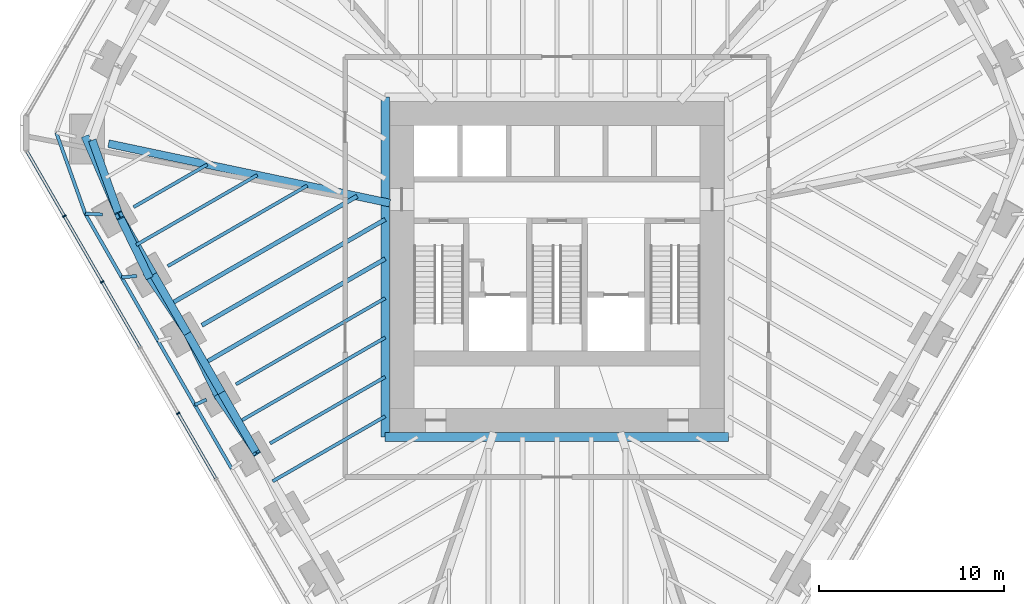
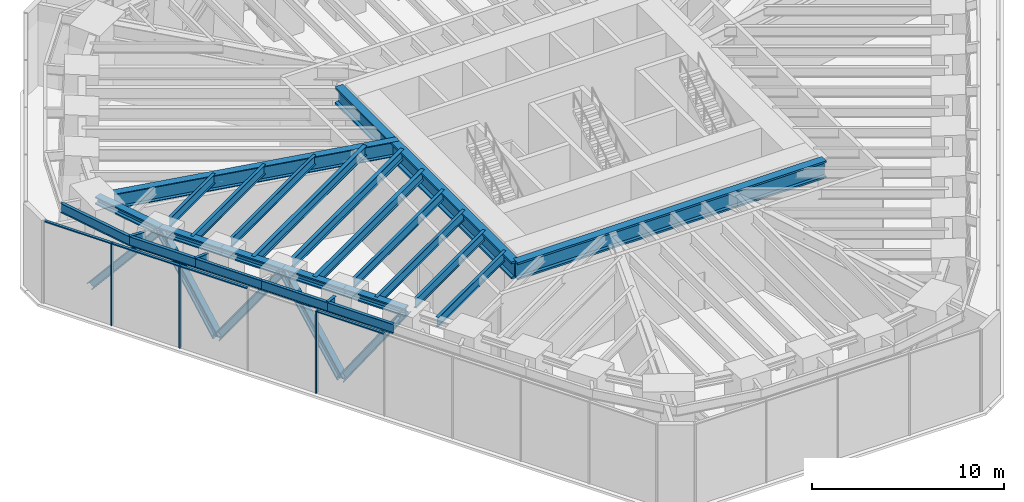
# One storey, part 3 of 12: 26 beams, 12 members, 1 element without a shape of its own.
"""IFC4 building model written with IfcOpenShell, lengths in metres."""

from ifc_helpers import new_model, si_unit, direction, frame, origin, origin_2d, place, context, subcontext, project, spatial, rectangle, i_section, extrude, material, material_profile, profile_set, type_object, element, aggregate, save


model = new_model("IFC4")

# Units and contexts
model_context = context("Model", 3, precision=1e-05, world=origin(), true_north=direction((0.0, 1.0)))
body_context = subcontext(model_context, "Body", "Model", "MODEL_VIEW")
ifc_project = project(units=[si_unit("LENGTHUNIT", "METRE"), si_unit("AREAUNIT", "SQUARE_METRE"), si_unit("VOLUMEUNIT", "CUBIC_METRE"), si_unit("PLANEANGLEUNIT", "RADIAN"), si_unit("MASSUNIT", "GRAM", prefix="KILO")], contexts=[model_context])

# Site, building, storey
site_placement = place(None, origin())
site = spatial("IfcSite", under=ifc_project, at=site_placement, CompositionType="ELEMENT")
building_placement = place(site_placement, origin())
building = spatial("IfcBuilding", under=site, at=building_placement, Name="Sandreach Pilgrim Tower", CompositionType="ELEMENT")
storey_placement = place(building_placement, frame((0.0, 0.0, 172.800048828125)))
storey = spatial("IfcBuildingStorey", under=building, at=storey_placement, Name="L43", CompositionType="ELEMENT", Elevation=172.800048828125)

# Beams
ifc_material_1 = material(Name="Steel ASTM A913 Grade 65", Category="steel")
ifc_material_profile_1 = material_profile(ifc_material_1, i_section(OverallWidth=0.4267578125, OverallDepth=0.482666015625, WebThickness=0.05126953125, FlangeThickness=0.08154296875, at=origin_2d()), Name="W14X455")
ifc_profile_set_1 = profile_set([ifc_material_profile_1], Name="Steel ASTM A913 Grade 65")
beam_type_1 = type_object("IfcBeamType", Name="Belt truss chord W14X455", PredefinedType="BEAM", material=ifc_profile_set_1)
beam_1_placement = place(storey_placement, frame((-16.310791015625, -11.548828125, 4.99853515625), z_axis=(-0.500042951019, 0.866000604582, 0.0), x_axis=(-0.866000604582, -0.500042951019, 0.0)))
element("IfcBeam", 1, at=beam_1_placement, inside=storey, type_object=beam_type_1, Name="BM L43 BTT30", PredefinedType="BEAM", context=body_context, shape_type="SweptSolid", body=[
    extrude(i_section(OverallWidth=0.4267578125, OverallDepth=0.482666015625, WebThickness=0.05126953125, FlangeThickness=0.08154296875, at=origin_2d()), origin(), (0.0, 0.0, 1.0), 3.692626953125),
])
for number, where, z_axis, x_axis, name in (
    (2, (-18.1572265625, -8.35107421875, 4.99853515625), (-0.499993363642, 0.866029235253, 0.0), (-0.866029235253, -0.499993363642, 0.0), "BM L43 BTT31"),
    (3, (-20.00341796875, -5.1533203125, 4.99853515625), (-0.499993363642, 0.866029235253, 0.0), (-0.866029235253, -0.499993363642, 0.0), "BM L43 BTT32"),
    (4, (-21.849609375, -1.95556640625, 4.99853515625), (-0.499993363642, 0.866029235253, 0.0), (-0.866029235253, -0.499993363642, 0.0), "BM L43 BTT33"),
):
    element("IfcBeam", number, at=place(storey_placement, frame(where, z_axis=z_axis, x_axis=x_axis)), inside=storey, type_object=beam_type_1, Name=name, PredefinedType="BEAM", context=body_context, shape_type="SweptSolid", body=[
        extrude(i_section(OverallWidth=0.4267578125, OverallDepth=0.482666015625, WebThickness=0.05126953125, FlangeThickness=0.08154296875, at=origin_2d()), origin(), (0.0, 0.0, 1.0), 3.6923828125),
    ])
beam_2_placement = place(storey_placement, frame((-23.69580078125, 1.2421875, 4.99853515625), z_axis=(-0.337863470932, 0.941195131208, 0.0), x_axis=(-0.941195131208, -0.337863470932, 0.0)))
element("IfcBeam", 5, at=beam_2_placement, inside=storey, type_object=beam_type_1, Name="BM L43 BTT34", PredefinedType="BEAM", context=body_context, shape_type="SweptSolid", body=[
    extrude(i_section(OverallWidth=0.4267578125, OverallDepth=0.482666015625, WebThickness=0.05126953125, FlangeThickness=0.08154296875, at=origin_2d()), origin(), (0.0, 0.0, 1.0), 4.3232421875),
])

# Members
ifc_material_2 = material(Name="Steel ASTM A913 Grade 65", Category="steel")
ifc_material_profile_2 = material_profile(ifc_material_2, i_section(OverallWidth=0.419189453125, OverallDepth=0.45458984375, WebThickness=0.042236328125, FlangeThickness=0.067626953125, at=origin_2d()), Name="W14X370")
ifc_profile_set_2 = profile_set([ifc_material_profile_2], Name="Steel ASTM A913 Grade 65")
member_type_1 = type_object("IfcMemberType", Name="Belt truss diagonal W14X370", PredefinedType="BRACE", material=ifc_profile_set_2)
member_1_placement = place(storey_placement, frame((-16.310791015625, -11.548828125, 4.99853515625), z_axis=(-0.316970907812, 0.471120667136, -0.823149294234), x_axis=(-0.829693410335, -0.55821935191, 0.0)))
element("IfcMember", 6, at=member_1_placement, inside=storey, type_object=member_type_1, Name="Belt truss diagonal L43 bay 30", PredefinedType="BRACE", context=body_context, shape_type="SweptSolid", body=[
    extrude(i_section(OverallWidth=0.419189453125, OverallDepth=0.45458984375, WebThickness=0.042236328125, FlangeThickness=0.067626953125, at=origin_2d()), origin(), (0.0, 0.0, 1.0), 6.56005859375),
])
member_2_placement = place(storey_placement, frame((-18.39013671875, -8.458251953125, -0.4013671875), z_axis=(-0.246931525493, 0.505858362682, 0.826518081244), x_axis=(-0.898648466726, -0.438669503444, 0.0)))
element("IfcMember", 7, at=member_2_placement, inside=storey, type_object=member_type_1, Name="Belt truss diagonal L43 bay 31", PredefinedType="BRACE", context=body_context, shape_type="SweptSolid", body=[
    extrude(i_section(OverallWidth=0.419189453125, OverallDepth=0.45458984375, WebThickness=0.042236328125, FlangeThickness=0.067626953125, at=origin_2d()), origin(), (0.0, 0.0, 1.0), 6.533203125),
])
member_3_placement = place(storey_placement, frame((-20.00341796875, -5.1533203125, 4.99853515625), z_axis=(-0.321538192631, 0.479668099327, -0.816413930043), x_axis=(-0.830641378914, -0.5568077762, 0.0)))
element("IfcMember", 8, at=member_3_placement, inside=storey, type_object=member_type_1, Name="Belt truss diagonal L43 bay 32", PredefinedType="BRACE", context=body_context, shape_type="SweptSolid", body=[
    extrude(i_section(OverallWidth=0.419189453125, OverallDepth=0.45458984375, WebThickness=0.042236328125, FlangeThickness=0.067626953125, at=origin_2d()), origin(), (0.0, 0.0, 1.0), 6.6142578125),
])
member_4_placement = place(storey_placement, frame((-22.130126953125, -1.980712890625, -0.4013671875), z_axis=(-0.241596290255, 0.49731991699, 0.833249142034), x_axis=(-0.899479083515, -0.436963818088, 0.0)))
element("IfcMember", 9, at=member_4_placement, inside=storey, type_object=member_type_1, Name="Belt truss diagonal L43 bay 33", PredefinedType="BRACE", context=body_context, shape_type="SweptSolid", body=[
    extrude(i_section(OverallWidth=0.419189453125, OverallDepth=0.45458984375, WebThickness=0.042236328125, FlangeThickness=0.067626953125, at=origin_2d()), origin(), (0.0, 0.0, 1.0), 6.48046875),
])
member_5_placement = place(storey_placement, frame((-23.69580078125, 1.2421875, 4.99853515625), z_axis=(-0.253974786614, 0.588303766341, -0.76772096902), x_axis=(-0.918099538658, -0.396349892286, 0.0)))
element("IfcMember", 10, at=member_5_placement, inside=storey, type_object=member_type_1, Name="Belt truss diagonal L43 bay 34", PredefinedType="BRACE", context=body_context, shape_type="SweptSolid", body=[
    extrude(i_section(OverallWidth=0.419189453125, OverallDepth=0.45458984375, WebThickness=0.042236328125, FlangeThickness=0.067626953125, at=origin_2d()), origin(), (0.0, 0.0, 1.0), 7.03369140625),
])

# Curtain wall, members
ifc_material_3 = material(Name="Aluminium framed curtain wall", Category="aluminium")
curtain_wall_type = type_object("IfcCurtainWallType", Name="Plant storey louvred curtain wall", PredefinedType="NOTDEFINED", material=ifc_material_3)
curtain_wall_placement = place(storey_placement, origin())
curtain_wall = element("IfcCurtainWall", 11, at=curtain_wall_placement, inside=storey, type_object=curtain_wall_type, Name="CW-L L43 SW", PredefinedType="NOTDEFINED")
ifc_material_4 = material(Name="Aluminium extrusion", Category="aluminium")
ifc_material_profile_3 = material_profile(ifc_material_4, rectangle(XDim=0.080078125, YDim=0.199951171875, at=origin_2d()), Name="CW-LM 80X200")
ifc_profile_set_3 = profile_set([ifc_material_profile_3], Name="Aluminium extrusion")
member_type_2 = type_object("IfcMemberType", Name="CW-L mullion", PredefinedType="MULLION", material=ifc_profile_set_3)
member_6_placement = place(storey_placement, frame((-20.5068359375, -9.468505859375, 0.0), z_axis=(0.0, 0.0, 1.0), x_axis=(-0.5, 0.866025403784, 0.0)))
member_6 = element("IfcMember", 12, at=member_6_placement, type_object=member_type_2, Name="CW-L mullion 6", PredefinedType="MULLION", context=body_context, shape_type="SweptSolid", body=[
    extrude(rectangle(XDim=0.080078125, YDim=0.199951171875, at=origin_2d()), origin(), (0.0, 0.0, 1.0), 5.239990234375),
])
member_7_placement = place(storey_placement, frame((-24.614013671875, -2.35498046875, 0.0), z_axis=(0.0, 0.0, 1.0), x_axis=(-0.5, 0.866025403784, 0.0)))
member_7 = element("IfcMember", 13, at=member_7_placement, type_object=member_type_2, Name="CW-L mullion 8", PredefinedType="MULLION", context=body_context, shape_type="SweptSolid", body=[
    extrude(rectangle(XDim=0.080078125, YDim=0.199951171875, at=origin_2d()), origin(), (0.0, 0.0, 1.0), 5.239990234375),
])
member_8_placement = place(storey_placement, frame((-26.66748046875, 1.20166015625, 0.0), z_axis=(0.0, 0.0, 1.0), x_axis=(-0.5, 0.866025403784, 0.0)))
member_8 = element("IfcMember", 14, at=member_8_placement, type_object=member_type_2, Name="CW-L mullion 9", PredefinedType="MULLION", context=body_context, shape_type="SweptSolid", body=[
    extrude(rectangle(XDim=0.080078125, YDim=0.199951171875, at=origin_2d()), origin(), (0.0, 0.0, 1.0), 5.239990234375),
])
ifc_material_5 = material(Name="Aluminium extrusion", Category="aluminium")
ifc_material_profile_4 = material_profile(ifc_material_5, rectangle(XDim=0.159912109375, YDim=0.070068359375, at=origin_2d()), Name="CW-LT 160X70")
ifc_profile_set_4 = profile_set([ifc_material_profile_4], Name="Aluminium extrusion")
member_type_3 = type_object("IfcMemberType", Name="CW-L transom", PredefinedType="USERDEFINED", material=ifc_profile_set_4)
member_9_placement = place(storey_placement, frame((-18.473388671875, -12.99072265625, 5.204833984375), z_axis=(-0.499979602577, 0.866037179922, 0.0), x_axis=(-0.866037179922, -0.499979602577, 0.0)))
member_9 = element("IfcMember", 15, at=member_9_placement, type_object=member_type_3, Name="CW-L head transom 5", ObjectType="TRANSOM", PredefinedType="USERDEFINED", context=body_context, shape_type="SweptSolid", body=[
    extrude(rectangle(XDim=0.159912109375, YDim=0.070068359375, at=origin_2d()), origin(), (0.0, 0.0, 1.0), 4.027099609375),
])
member_10_placement = place(storey_placement, frame((-22.580322265625, -5.877197265625, 5.204833984375), z_axis=(-0.500025070972, 0.866010928568, 0.0), x_axis=(-0.866010928568, -0.500025070972, 0.0)))
member_10 = element("IfcMember", 16, at=member_10_placement, type_object=member_type_3, Name="CW-L head transom 7", ObjectType="TRANSOM", PredefinedType="USERDEFINED", context=body_context, shape_type="SweptSolid", body=[
    extrude(rectangle(XDim=0.159912109375, YDim=0.070068359375, at=origin_2d()), origin(), (0.0, 0.0, 1.0), 4.027099609375),
])
member_11_placement = place(storey_placement, frame((-24.6337890625, -2.3203125, 5.204833984375), z_axis=(-0.500051323872, 0.865995769906, 0.0), x_axis=(-0.865995769906, -0.500051323872, 0.0)))
member_11 = element("IfcMember", 17, at=member_11_placement, type_object=member_type_3, Name="CW-L head transom 8", ObjectType="TRANSOM", PredefinedType="USERDEFINED", context=body_context, shape_type="SweptSolid", body=[
    extrude(rectangle(XDim=0.159912109375, YDim=0.070068359375, at=origin_2d()), origin(), (0.0, 0.0, 1.0), 4.02685546875),
])
member_12_placement = place(storey_placement, frame((-26.6875, 1.236328125, 5.204833984375), z_axis=(-0.499978650921, 0.86603772933, 0.0), x_axis=(-0.86603772933, -0.499978650921, 0.0)))
member_12 = element("IfcMember", 18, at=member_12_placement, type_object=member_type_3, Name="CW-L head transom 9", ObjectType="TRANSOM", PredefinedType="USERDEFINED", context=body_context, shape_type="SweptSolid", body=[
    extrude(rectangle(XDim=0.159912109375, YDim=0.070068359375, at=origin_2d()), origin(), (0.0, 0.0, 1.0), 3.987060546875),
])
aggregate(curtain_wall, [member_6, member_7, member_8, member_9, member_10, member_11, member_12])

# Beams
ifc_material_6 = material(Name="Steel ASTM A992 Grade 50", Category="steel")
ifc_material_profile_5 = material_profile(ifc_material_6, i_section(OverallWidth=0.472412109375, OverallDepth=1.0947265625, WebThickness=0.07666015625, FlangeThickness=0.114990234375, at=origin_2d()), Name="W36X925")
ifc_profile_set_5 = profile_set([ifc_material_profile_5], Name="Steel ASTM A992 Grade 50")
beam_type_2 = type_object("IfcBeamType", Name="Core edge beam W36X925", PredefinedType="BEAM", material=ifc_profile_set_5)
beam_3_placement = place(storey_placement, frame((9.296142578125, -10.746337890625, 4.692626953125), z_axis=(-1.0, 0.0, 0.0), x_axis=(0.0, -1.0, 0.0)))
element("IfcBeam", 19, at=beam_3_placement, inside=storey, type_object=beam_type_2, Name="BM L43 CES", PredefinedType="BEAM", context=body_context, shape_type="SweptSolid", body=[
    extrude(i_section(OverallWidth=0.472412109375, OverallDepth=1.0947265625, WebThickness=0.07666015625, FlangeThickness=0.114990234375, at=origin_2d()), origin(), (0.0, 0.0, 1.0), 18.59228515625),
])
beam_4_placement = place(storey_placement, frame((-9.296142578125, -10.746337890625, 4.692626953125), z_axis=(0.0, 1.0, 0.0), x_axis=(-1.0, 0.0, 0.0)))
element("IfcBeam", 20, at=beam_4_placement, inside=storey, type_object=beam_type_2, Name="BM L43 CEW", PredefinedType="BEAM", context=body_context, shape_type="SweptSolid", body=[
    extrude(i_section(OverallWidth=0.472412109375, OverallDepth=1.0947265625, WebThickness=0.07666015625, FlangeThickness=0.114990234375, at=origin_2d()), origin(), (0.0, 0.0, 1.0), 18.392578125),
])
ifc_material_7 = material(Name="Steel ASTM A992 Grade 50", Category="steel")
ifc_material_profile_6 = material_profile(ifc_material_7, i_section(OverallWidth=0.421630859375, OverallDepth=0.95751953125, WebThickness=0.02587890625, FlangeThickness=0.046875, at=origin_2d()), Name="W36X330")
ifc_profile_set_6 = profile_set([ifc_material_profile_6], Name="Steel ASTM A992 Grade 50")
beam_type_3 = type_object("IfcBeamType", Name="Corner girder W36X330", PredefinedType="BEAM", material=ifc_profile_set_6)
beam_5_placement = place(storey_placement, frame((-24.27587890625, 5.12548828125, 4.76123046875), z_axis=(0.97842776606, -0.206589221895, 0.0), x_axis=(0.206589221895, 0.97842776606, 0.0)))
element("IfcBeam", 21, at=beam_5_placement, inside=storey, type_object=beam_type_3, Name="BM L43 CG35", PredefinedType="BEAM", context=body_context, shape_type="SweptSolid", body=[
    extrude(i_section(OverallWidth=0.421630859375, OverallDepth=0.95751953125, WebThickness=0.02587890625, FlangeThickness=0.046875, at=origin_2d()), origin(), (0.0, 0.0, 1.0), 15.5615234375),
])
ifc_material_8 = material(Name="Steel ASTM A992 Grade 50", Category="steel")
ifc_material_profile_7 = material_profile(ifc_material_8, i_section(OverallWidth=0.1787109375, OverallDepth=0.60205078125, WebThickness=0.010986328125, FlangeThickness=0.014892578125, at=origin_2d()), Name="W24X62")
ifc_profile_set_7 = profile_set([ifc_material_profile_7], Name="Steel ASTM A992 Grade 50")
beam_type_4 = type_object("IfcBeamType", Name="Floor beam W24X62", PredefinedType="BEAM", material=ifc_profile_set_7)
beam_6_placement = place(storey_placement, frame((-15.531494140625, -11.098876953125, 4.93896484375), z_axis=(0.866033125095, 0.499986626058, 0.0), x_axis=(-0.499986626058, 0.866033125095, 0.0)))
element("IfcBeam", 22, at=beam_6_placement, inside=storey, type_object=beam_type_4, Name="BM L43 F30", PredefinedType="BEAM", context=body_context, shape_type="SweptSolid", body=[
    extrude(i_section(OverallWidth=0.1787109375, OverallDepth=0.60205078125, WebThickness=0.010986328125, FlangeThickness=0.014892578125, at=origin_2d()), origin(), (0.0, 0.0, 1.0), 7.199951171875),
])
beam_7_placement = place(storey_placement, frame((-17.377685546875, -7.901123046875, 4.93896484375), z_axis=(0.86603048591, 0.499991197397, 0.0), x_axis=(-0.499991197397, 0.86603048591, 0.0)))
element("IfcBeam", 23, at=beam_7_placement, inside=storey, type_object=beam_type_4, Name="BM L43 F31", PredefinedType="BEAM", context=body_context, shape_type="SweptSolid", body=[
    extrude(i_section(OverallWidth=0.1787109375, OverallDepth=0.60205078125, WebThickness=0.010986328125, FlangeThickness=0.014892578125, at=origin_2d()), origin(), (0.0, 0.0, 1.0), 9.331787109375),
])
beam_8_placement = place(storey_placement, frame((-21.070068359375, -1.505615234375, 4.93896484375), z_axis=(0.866018660621, 0.50001167932, 0.0), x_axis=(-0.50001167932, 0.866018660621, 0.0)))
element("IfcBeam", 24, at=beam_8_placement, inside=storey, type_object=beam_type_4, Name="BM L43 F33", PredefinedType="BEAM", context=body_context, shape_type="SweptSolid", body=[
    extrude(i_section(OverallWidth=0.1787109375, OverallDepth=0.60205078125, WebThickness=0.010986328125, FlangeThickness=0.014892578125, at=origin_2d()), origin(), (0.0, 0.0, 1.0), 8.719482421875),
])
beam_9_placement = place(storey_placement, frame((-22.91650390625, 1.692138671875, 4.93896484375), z_axis=(0.866030286288, 0.49999154316, 0.0), x_axis=(-0.49999154316, 0.866030286288, 0.0)))
element("IfcBeam", 25, at=beam_9_placement, inside=storey, type_object=beam_type_4, Name="BM L43 F34", PredefinedType="BEAM", context=body_context, shape_type="SweptSolid", body=[
    extrude(i_section(OverallWidth=0.1787109375, OverallDepth=0.60205078125, WebThickness=0.010986328125, FlangeThickness=0.014892578125, at=origin_2d()), origin(), (0.0, 0.0, 1.0), 4.607421875),
])
beam_10_placement = place(storey_placement, frame((-15.3876953125, -13.14794921875, 4.93896484375), z_axis=(0.866017386532, 0.500013886032, 0.0), x_axis=(-0.500013886032, 0.866017386532, 0.0)))
element("IfcBeam", 26, at=beam_10_placement, inside=storey, type_object=beam_type_4, Name="BM L43 FM29", PredefinedType="BEAM", context=body_context, shape_type="SweptSolid", body=[
    extrude(i_section(OverallWidth=0.1787109375, OverallDepth=0.60205078125, WebThickness=0.010986328125, FlangeThickness=0.014892578125, at=origin_2d()), origin(), (0.0, 0.0, 1.0), 7.033935546875),
])
beam_11_placement = place(storey_placement, frame((-17.23388671875, -9.949951171875, 4.93896484375), z_axis=(0.866029893925, 0.499992222768, 0.0), x_axis=(-0.499992222768, 0.866029893925, 0.0)))
element("IfcBeam", 27, at=beam_11_placement, inside=storey, type_object=beam_type_4, Name="BM L43 FM30", PredefinedType="BEAM", context=body_context, shape_type="SweptSolid", body=[
    extrude(i_section(OverallWidth=0.1787109375, OverallDepth=0.60205078125, WebThickness=0.010986328125, FlangeThickness=0.014892578125, at=origin_2d()), origin(), (0.0, 0.0, 1.0), 9.165771484375),
])
beam_12_placement = place(storey_placement, frame((-22.772705078125, -0.356689453125, 4.93896484375), z_axis=(0.866029704776, 0.49999255039, 0.0), x_axis=(-0.49999255039, 0.866029704776, 0.0)))
element("IfcBeam", 28, at=beam_12_placement, inside=storey, type_object=beam_type_4, Name="BM L43 FM33", PredefinedType="BEAM", context=body_context, shape_type="SweptSolid", body=[
    extrude(i_section(OverallWidth=0.1787109375, OverallDepth=0.60205078125, WebThickness=0.010986328125, FlangeThickness=0.014892578125, at=origin_2d()), origin(), (0.0, 0.0, 1.0), 7.5634765625),
])
ifc_material_9 = material(Name="Steel ASTM A992 Grade 50", Category="steel")
ifc_material_profile_8 = material_profile(ifc_material_9, i_section(OverallWidth=0.23046875, OverallDepth=0.6171875, WebThickness=0.01318359375, FlangeThickness=0.022216796875, at=origin_2d()), Name="W24X94")
ifc_profile_set_8 = profile_set([ifc_material_profile_8], Name="Steel ASTM A992 Grade 50")
beam_type_5 = type_object("IfcBeamType", Name="Floor beam W24X94", PredefinedType="BEAM", material=ifc_profile_set_8)
beam_13_placement = place(storey_placement, frame((-19.223876953125, -4.703369140625, 4.931396484375), z_axis=(0.866028828302, 0.499994068514, 0.0), x_axis=(-0.499994068514, 0.866028828302, 0.0)))
element("IfcBeam", 29, at=beam_13_placement, inside=storey, type_object=beam_type_5, Name="BM L43 F32", PredefinedType="BEAM", context=body_context, shape_type="SweptSolid", body=[
    extrude(i_section(OverallWidth=0.23046875, OverallDepth=0.6171875, WebThickness=0.01318359375, FlangeThickness=0.022216796875, at=origin_2d()), origin(), (0.0, 0.0, 1.0), 11.463623046875),
])
beam_14_placement = place(storey_placement, frame((-19.080322265625, -6.752197265625, 4.931396484375), z_axis=(0.866033725945, 0.499985585318, 0.0), x_axis=(-0.499985585318, 0.866033725945, 0.0)))
element("IfcBeam", 30, at=beam_14_placement, inside=storey, type_object=beam_type_5, Name="BM L43 FM31", PredefinedType="BEAM", context=body_context, shape_type="SweptSolid", body=[
    extrude(i_section(OverallWidth=0.23046875, OverallDepth=0.6171875, WebThickness=0.01318359375, FlangeThickness=0.022216796875, at=origin_2d()), origin(), (0.0, 0.0, 1.0), 11.297607421875),
])
beam_15_placement = place(storey_placement, frame((-20.926513671875, -3.554443359375, 4.931396484375), z_axis=(0.866026454974, 0.499998179282, 0.0), x_axis=(-0.499998179282, 0.866026454974, 0.0)))
element("IfcBeam", 31, at=beam_15_placement, inside=storey, type_object=beam_type_5, Name="BM L43 FM32", PredefinedType="BEAM", context=body_context, shape_type="SweptSolid", body=[
    extrude(i_section(OverallWidth=0.23046875, OverallDepth=0.6171875, WebThickness=0.01318359375, FlangeThickness=0.022216796875, at=origin_2d()), origin(), (0.0, 0.0, 1.0), 11.67578125),
])
ifc_material_10 = material(Name="Steel ASTM A992 Grade 50", Category="steel")
ifc_material_profile_9 = material_profile(ifc_material_10, i_section(OverallWidth=0.1787109375, OverallDepth=0.60205078125, WebThickness=0.010986328125, FlangeThickness=0.014892578125, at=origin_2d()), Name="W24X62")
ifc_profile_set_9 = profile_set([ifc_material_profile_9], Name="Steel ASTM A992 Grade 50")
beam_type_6 = type_object("IfcBeamType", Name="Setback roof edge beam W24X62", PredefinedType="BEAM", material=ifc_profile_set_9)
beam_16_placement = place(storey_placement, frame((-17.608154296875, -12.467529296875, 4.89892578125), z_axis=(-0.499966337503, 0.866044837964, 0.0), x_axis=(-0.866044837964, -0.499966337503, 0.0)))
element("IfcBeam", 32, at=beam_16_placement, inside=storey, type_object=beam_type_6, Name="BM L43 RE30", PredefinedType="BEAM", context=body_context, shape_type="SweptSolid", body=[
    extrude(i_section(OverallWidth=0.1787109375, OverallDepth=0.60205078125, WebThickness=0.010986328125, FlangeThickness=0.014892578125, at=origin_2d()), origin(), (0.0, 0.0, 1.0), 3.986083984375),
])
beam_17_placement = place(storey_placement, frame((-19.60107421875, -9.015380859375, 4.89892578125), z_axis=(-0.498255813685, 0.867030071064, 0.0), x_axis=(-0.867030071064, -0.498255813685, 0.0)))
element("IfcBeam", 33, at=beam_17_placement, inside=storey, type_object=beam_type_6, Name="BM L43 RE31", PredefinedType="BEAM", context=body_context, shape_type="SweptSolid", body=[
    extrude(i_section(OverallWidth=0.1787109375, OverallDepth=0.60205078125, WebThickness=0.010986328125, FlangeThickness=0.014892578125, at=origin_2d()), origin(), (0.0, 0.0, 1.0), 3.984130859375),
])
beam_18_placement = place(storey_placement, frame((-21.586181640625, -5.56103515625, 4.89892578125), z_axis=(-0.496925234491, 0.867793357503, 0.0), x_axis=(-0.867793357503, -0.496925234491, 0.0)))
element("IfcBeam", 34, at=beam_18_placement, inside=storey, type_object=beam_type_6, Name="BM L43 RE32", PredefinedType="BEAM", context=body_context, shape_type="SweptSolid", body=[
    extrude(i_section(OverallWidth=0.1787109375, OverallDepth=0.60205078125, WebThickness=0.010986328125, FlangeThickness=0.014892578125, at=origin_2d()), origin(), (0.0, 0.0, 1.0), 3.97802734375),
])
beam_19_placement = place(storey_placement, frame((-23.56298828125, -2.10888671875, 4.89892578125), z_axis=(-0.496271352327, 0.868167463603, 0.0), x_axis=(-0.868167463603, -0.496271352327, 0.0)))
element("IfcBeam", 35, at=beam_19_placement, inside=storey, type_object=beam_type_6, Name="BM L43 RE33", PredefinedType="BEAM", context=body_context, shape_type="SweptSolid", body=[
    extrude(i_section(OverallWidth=0.1787109375, OverallDepth=0.60205078125, WebThickness=0.010986328125, FlangeThickness=0.014892578125, at=origin_2d()), origin(), (0.0, 0.0, 1.0), 3.970947265625),
])
beam_20_placement = place(storey_placement, frame((-25.53369140625, 1.338623046875, 4.89892578125), z_axis=(-0.336824688173, 0.941567379128, 0.0), x_axis=(-0.941567379128, -0.336824688173, 0.0)))
element("IfcBeam", 36, at=beam_20_placement, inside=storey, type_object=beam_type_6, Name="BM L43 RE34", PredefinedType="BEAM", context=body_context, shape_type="SweptSolid", body=[
    extrude(i_section(OverallWidth=0.1787109375, OverallDepth=0.60205078125, WebThickness=0.010986328125, FlangeThickness=0.014892578125, at=origin_2d()), origin(), (0.0, 0.0, 1.0), 4.655517578125),
])
ifc_material_11 = material(Name="Steel ASTM A992 Grade 50", Category="steel")
ifc_material_profile_10 = material_profile(ifc_material_11, i_section(OverallWidth=0.1787109375, OverallDepth=0.60205078125, WebThickness=0.010986328125, FlangeThickness=0.014892578125, at=origin_2d()), Name="W24X62")
ifc_profile_set_10 = profile_set([ifc_material_profile_10], Name="Steel ASTM A992 Grade 50")
beam_type_7 = type_object("IfcBeamType", Name="Setback roof outlooker W24X62", PredefinedType="BEAM", material=ifc_profile_set_10)
beam_21_placement = place(storey_placement, frame((-18.974853515625, -8.727294921875, 4.89892578125), z_axis=(-0.908477005217, -0.417934840606, 0.0), x_axis=(0.417934840606, -0.908477005217, 0.0)))
element("IfcBeam", 37, at=beam_21_placement, inside=storey, type_object=beam_type_7, Name="BM L43 OL31", PredefinedType="BEAM", context=body_context, shape_type="SweptSolid", body=[
    extrude(i_section(OverallWidth=0.1787109375, OverallDepth=0.60205078125, WebThickness=0.010986328125, FlangeThickness=0.014892578125, at=origin_2d()), origin(), (0.0, 0.0, 1.0), 0.689208984375),
])
beam_22_placement = place(storey_placement, frame((-22.74609375, -2.035888671875, 4.89892578125), z_axis=(-0.996031110528, -0.089005768693, 0.0), x_axis=(0.089005768693, -0.996031110528, 0.0)))
element("IfcBeam", 38, at=beam_22_placement, inside=storey, type_object=beam_type_7, Name="BM L43 OL33", PredefinedType="BEAM", context=body_context, shape_type="SweptSolid", body=[
    extrude(i_section(OverallWidth=0.1787109375, OverallDepth=0.60205078125, WebThickness=0.010986328125, FlangeThickness=0.014892578125, at=origin_2d()), origin(), (0.0, 0.0, 1.0), 0.820068359375),
])
beam_23_placement = place(storey_placement, frame((-24.5947265625, 1.289306640625, 4.89892578125), z_axis=(-0.998623561558, 0.052449807445, 0.0), x_axis=(-0.052449807445, -0.998623561558, 0.0)))
element("IfcBeam", 39, at=beam_23_placement, inside=storey, type_object=beam_type_7, Name="BM L43 OL34", PredefinedType="BEAM", context=body_context, shape_type="SweptSolid", body=[
    extrude(i_section(OverallWidth=0.1787109375, OverallDepth=0.60205078125, WebThickness=0.010986328125, FlangeThickness=0.014892578125, at=origin_2d()), origin(), (0.0, 0.0, 1.0), 0.940185546875),
])

save(model, "model.ifc")
